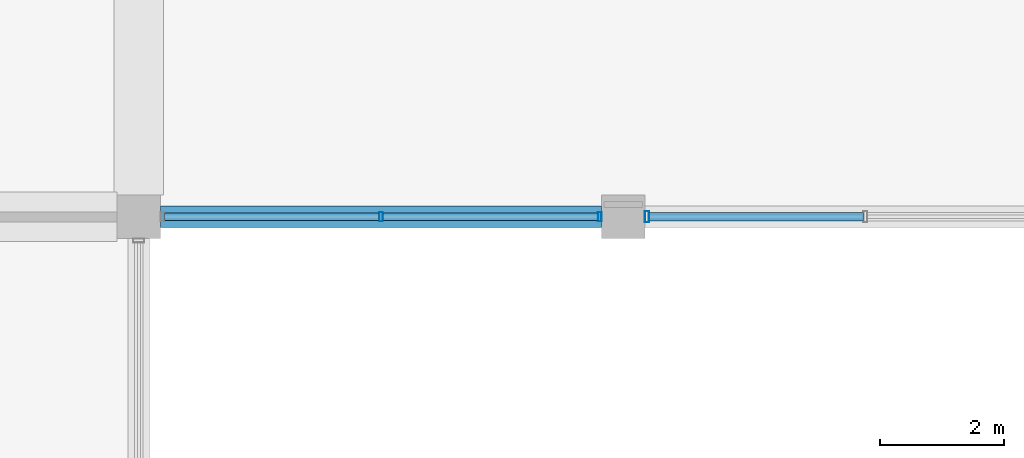
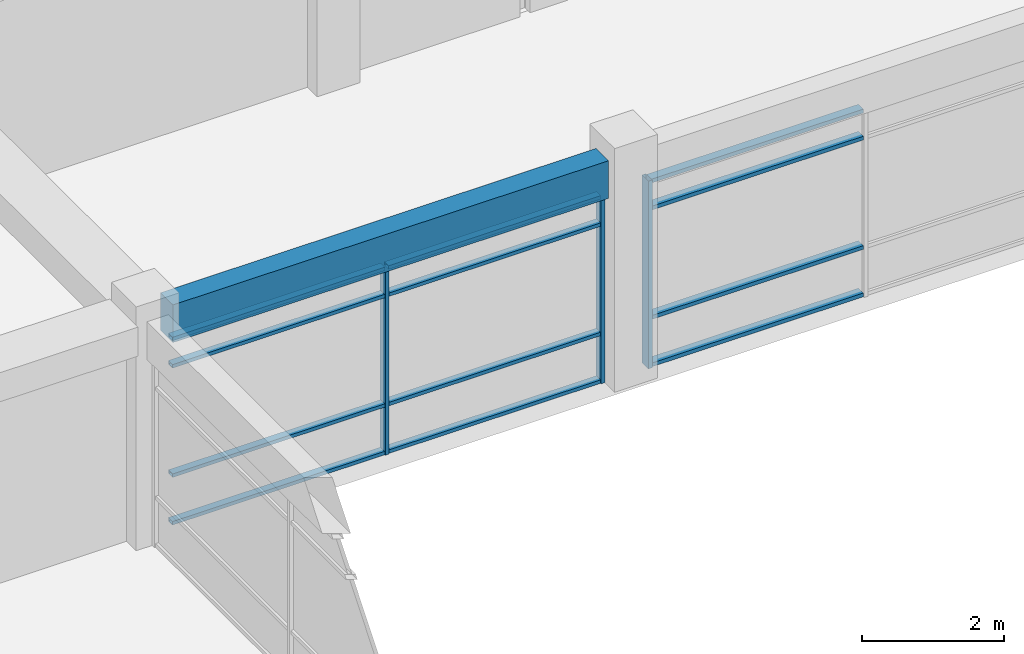
# One storey, part 17 of 53: 15 members, 1 beam, 2 elements without a shape of their own.
"""IFC4 building model written with IfcOpenShell, lengths in metres."""

from ifc_helpers import new_model, si_unit, direction, frame, origin, origin_2d, place, context, subcontext, project, spatial, rectangle, hollow_rectangle, extrude, material, material_profile, profile_set, type_object, element, aggregate, save


model = new_model("IFC4")

# Units and contexts
model_context = context("Model", 3, precision=1e-05, world=origin(), true_north=direction((0.0, 1.0)))
body_context = subcontext(model_context, "Body", "Model", "MODEL_VIEW")
ifc_project = project(units=[si_unit("LENGTHUNIT", "METRE"), si_unit("AREAUNIT", "SQUARE_METRE"), si_unit("VOLUMEUNIT", "CUBIC_METRE"), si_unit("PLANEANGLEUNIT", "RADIAN"), si_unit("MASSUNIT", "GRAM", prefix="KILO"), si_unit("THERMODYNAMICTEMPERATUREUNIT", "KELVIN"), si_unit("POWERUNIT", "WATT")], contexts=[model_context])

# Site, building, storey
site_placement = place(None, origin())
site = spatial("IfcSite", under=ifc_project, at=site_placement, CompositionType="ELEMENT")
building_placement = place(site_placement, origin())
building = spatial("IfcBuilding", under=site, at=building_placement, Name="Srebrne Nadtorze General Hospital", CompositionType="ELEMENT")
storey_placement = place(building_placement, frame((0.0, 0.0, 18.0)))
storey = spatial("IfcBuildingStorey", under=building, at=storey_placement, Name="L04", CompositionType="ELEMENT", Elevation=18.0)

# Curtain wall, members
ifc_material_1 = material(Name="Anodised Aluminium", Category="aluminium")
curtain_wall_type = type_object("IfcCurtainWallType", Name="Unitised curtain wall 7100x3235", PredefinedType="NOTDEFINED", material=ifc_material_1)
curtain_wall_1_placement = place(storey_placement, origin())
curtain_wall_1 = element("IfcCurtainWall", 1, at=curtain_wall_1_placement, inside=storey, type_object=curtain_wall_type, Name="Curtain wall CW-104", PredefinedType="NOTDEFINED")
ifc_material_2 = material(Name="Anodised Aluminium", Category="aluminium")
ifc_material_profile_1 = material_profile(ifc_material_2, hollow_rectangle(XDim=0.06005859375, YDim=0.14990234375, WallThickness=0.00390625, at=origin_2d()), Name="AL-MUL-60x150")
ifc_profile_set_1 = profile_set([ifc_material_profile_1], Name="Anodised Aluminium")
member_type_1 = type_object("IfcMemberType", Name="Curtain mullion 60x150", PredefinedType="MULLION", material=ifc_profile_set_1)
member_1_placement = place(storey_placement, frame((120.89990234375, 25.199951171875, 0.0), z_axis=(0.0, 0.0, 1.0), x_axis=(1.0, 0.0, 0.0)))
member_1 = element("IfcMember", 2, at=member_1_placement, type_object=member_type_1, Name="CW-104 mullion 2", PredefinedType="MULLION", context=body_context, shape_type="SweptSolid", body=[
    extrude(hollow_rectangle(XDim=0.06005859375, YDim=0.14990234375, WallThickness=0.00390625, at=origin_2d()), origin(), (0.0, 0.0, 1.0), 3.235107421875),
])
member_2_placement = place(storey_placement, frame((124.419921875, 25.199951171875, 0.0), z_axis=(0.0, 0.0, 1.0), x_axis=(1.0, 0.0, 0.0)))
member_2 = element("IfcMember", 3, at=member_2_placement, type_object=member_type_1, Name="CW-104 mullion 3", PredefinedType="MULLION", context=body_context, shape_type="SweptSolid", body=[
    extrude(hollow_rectangle(XDim=0.06005859375, YDim=0.14990234375, WallThickness=0.00390625, at=origin_2d()), origin(), (0.0, 0.0, 1.0), 3.235107421875),
])

# Curtain wall, member
curtain_wall_2_placement = place(storey_placement, origin())
curtain_wall_2 = element("IfcCurtainWall", 4, at=curtain_wall_2_placement, inside=storey, type_object=curtain_wall_type, Name="Curtain wall CW-105", PredefinedType="NOTDEFINED")
ifc_material_3 = material(Name="Anodised Aluminium", Category="aluminium")
ifc_material_profile_2 = material_profile(ifc_material_3, hollow_rectangle(XDim=0.06494140625, YDim=0.179931640625, WallThickness=0.00390625, at=origin_2d()), Name="AL-MUL-65x180")
ifc_profile_set_2 = profile_set([ifc_material_profile_2], Name="Anodised Aluminium")
member_type_2 = type_object("IfcMemberType", Name="Curtain mullion 65x180", PredefinedType="MULLION", material=ifc_profile_set_2)
member_3_placement = place(storey_placement, frame((125.1826171875, 25.199951171875, 0.0), z_axis=(0.0, 0.0, 1.0), x_axis=(1.0, 0.0, 0.0)))
member_3 = element("IfcMember", 5, at=member_3_placement, type_object=member_type_2, Name="CW-105 mullion 1", PredefinedType="MULLION", context=body_context, shape_type="SweptSolid", body=[
    extrude(hollow_rectangle(XDim=0.06494140625, YDim=0.179931640625, WallThickness=0.00390625, at=origin_2d()), origin(), (0.0, 0.0, 1.0), 3.235107421875),
])

# Member
ifc_material_4 = material(Name="Anodised Aluminium", Category="aluminium")
ifc_material_profile_3 = material_profile(ifc_material_4, hollow_rectangle(XDim=0.06005859375, YDim=0.1201171875, WallThickness=0.00390625, at=origin_2d()), Name="AL-TRN-60x120")
ifc_profile_set_3 = profile_set([ifc_material_profile_3], Name="Anodised Aluminium")
member_type_3 = type_object("IfcMemberType", Name="Curtain transom 60x120", PredefinedType="USERDEFINED", material=ifc_profile_set_3)
member_4_placement = place(storey_placement, frame((117.409912109375, 25.199951171875, 0.030029296875), z_axis=(1.0, 0.0, 0.0), x_axis=(0.0, 0.0, 1.0)))
member_4 = element("IfcMember", 6, at=member_4_placement, type_object=member_type_3, Name="CW-104 transom 1.1", ObjectType="TRANSOM", PredefinedType="USERDEFINED", context=body_context, shape_type="SweptSolid", body=[
    extrude(hollow_rectangle(XDim=0.06005859375, YDim=0.1201171875, WallThickness=0.00390625, at=origin_2d()), origin(), (0.0, 0.0, 1.0), 3.460205078125),
])

member_5_placement = place(storey_placement, frame((117.409912109375, 25.199951171875, 0.85009765625), z_axis=(1.0, 0.0, 0.0), x_axis=(0.0, 0.0, 1.0)))
member_5 = element("IfcMember", 7, at=member_5_placement, type_object=member_type_3, Name="CW-104 transom 1.2", ObjectType="TRANSOM", PredefinedType="USERDEFINED", context=body_context, shape_type="SweptSolid", body=[
    extrude(hollow_rectangle(XDim=0.06005859375, YDim=0.1201171875, WallThickness=0.00390625, at=origin_2d()), origin(), (0.0, 0.0, 1.0), 3.460205078125),
])

member_6_placement = place(storey_placement, frame((117.409912109375, 25.199951171875, 2.735107421875), z_axis=(1.0, 0.0, 0.0), x_axis=(0.0, 0.0, 1.0)))
member_6 = element("IfcMember", 8, at=member_6_placement, type_object=member_type_3, Name="CW-104 transom 1.3", ObjectType="TRANSOM", PredefinedType="USERDEFINED", context=body_context, shape_type="SweptSolid", body=[
    extrude(hollow_rectangle(XDim=0.06005859375, YDim=0.1201171875, WallThickness=0.00390625, at=origin_2d()), origin(), (0.0, 0.0, 1.0), 3.460205078125),
])

member_7_placement = place(storey_placement, frame((117.409912109375, 25.199951171875, 3.205078125), z_axis=(1.0, 0.0, 0.0), x_axis=(0.0, 0.0, 1.0)))
member_7 = element("IfcMember", 9, at=member_7_placement, type_object=member_type_3, Name="CW-104 transom 1.4", ObjectType="TRANSOM", PredefinedType="USERDEFINED", context=body_context, shape_type="SweptSolid", body=[
    extrude(hollow_rectangle(XDim=0.06005859375, YDim=0.1201171875, WallThickness=0.00390625, at=origin_2d()), origin(), (0.0, 0.0, 1.0), 3.460205078125),
])

member_8_placement = place(storey_placement, frame((120.929931640625, 25.199951171875, 0.030029296875), z_axis=(1.0, 0.0, 0.0), x_axis=(0.0, 0.0, 1.0)))
member_8 = element("IfcMember", 10, at=member_8_placement, type_object=member_type_3, Name="CW-104 transom 2.1", ObjectType="TRANSOM", PredefinedType="USERDEFINED", context=body_context, shape_type="SweptSolid", body=[
    extrude(hollow_rectangle(XDim=0.06005859375, YDim=0.1201171875, WallThickness=0.00390625, at=origin_2d()), origin(), (0.0, 0.0, 1.0), 3.4599609375),
])

member_9_placement = place(storey_placement, frame((120.929931640625, 25.199951171875, 0.85009765625), z_axis=(1.0, 0.0, 0.0), x_axis=(0.0, 0.0, 1.0)))
member_9 = element("IfcMember", 11, at=member_9_placement, type_object=member_type_3, Name="CW-104 transom 2.2", ObjectType="TRANSOM", PredefinedType="USERDEFINED", context=body_context, shape_type="SweptSolid", body=[
    extrude(hollow_rectangle(XDim=0.06005859375, YDim=0.1201171875, WallThickness=0.00390625, at=origin_2d()), origin(), (0.0, 0.0, 1.0), 3.4599609375),
])

member_10_placement = place(storey_placement, frame((120.929931640625, 25.199951171875, 2.735107421875), z_axis=(1.0, 0.0, 0.0), x_axis=(0.0, 0.0, 1.0)))
member_10 = element("IfcMember", 12, at=member_10_placement, type_object=member_type_3, Name="CW-104 transom 2.3", ObjectType="TRANSOM", PredefinedType="USERDEFINED", context=body_context, shape_type="SweptSolid", body=[
    extrude(hollow_rectangle(XDim=0.06005859375, YDim=0.1201171875, WallThickness=0.00390625, at=origin_2d()), origin(), (0.0, 0.0, 1.0), 3.4599609375),
])

member_11_placement = place(storey_placement, frame((120.929931640625, 25.199951171875, 3.205078125), z_axis=(1.0, 0.0, 0.0), x_axis=(0.0, 0.0, 1.0)))
member_11 = element("IfcMember", 13, at=member_11_placement, type_object=member_type_3, Name="CW-104 transom 2.4", ObjectType="TRANSOM", PredefinedType="USERDEFINED", context=body_context, shape_type="SweptSolid", body=[
    extrude(hollow_rectangle(XDim=0.06005859375, YDim=0.1201171875, WallThickness=0.00390625, at=origin_2d()), origin(), (0.0, 0.0, 1.0), 3.4599609375),
])

aggregate(curtain_wall_1, [member_1, member_2, member_4, member_5, member_6, member_7, member_8, member_9, member_10, member_11])

ifc_material_5 = material(Name="Anodised Aluminium", Category="aluminium")
ifc_material_profile_4 = material_profile(ifc_material_5, hollow_rectangle(XDim=0.06494140625, YDim=0.139892578125, WallThickness=0.00390625, at=origin_2d()), Name="AL-TRN-65x140")
ifc_profile_set_4 = profile_set([ifc_material_profile_4], Name="Anodised Aluminium")
member_type_4 = type_object("IfcMemberType", Name="Curtain transom 65x140", PredefinedType="USERDEFINED", material=ifc_profile_set_4)
member_12_placement = place(storey_placement, frame((125.215087890625, 25.199951171875, 0.032470703125), z_axis=(1.0, 0.0, 0.0), x_axis=(0.0, 0.0, 1.0)))
member_12 = element("IfcMember", 14, at=member_12_placement, type_object=member_type_4, Name="CW-105 transom 1.1", ObjectType="TRANSOM", PredefinedType="USERDEFINED", context=body_context, shape_type="SweptSolid", body=[
    extrude(hollow_rectangle(XDim=0.06494140625, YDim=0.139892578125, WallThickness=0.00390625, at=origin_2d()), origin(), (0.0, 0.0, 1.0), 3.452392578125),
])

member_13_placement = place(storey_placement, frame((125.215087890625, 25.199951171875, 0.85009765625), z_axis=(1.0, 0.0, 0.0), x_axis=(0.0, 0.0, 1.0)))
member_13 = element("IfcMember", 15, at=member_13_placement, type_object=member_type_4, Name="CW-105 transom 1.2", ObjectType="TRANSOM", PredefinedType="USERDEFINED", context=body_context, shape_type="SweptSolid", body=[
    extrude(hollow_rectangle(XDim=0.06494140625, YDim=0.139892578125, WallThickness=0.00390625, at=origin_2d()), origin(), (0.0, 0.0, 1.0), 3.452392578125),
])

member_14_placement = place(storey_placement, frame((125.215087890625, 25.199951171875, 2.735107421875), z_axis=(1.0, 0.0, 0.0), x_axis=(0.0, 0.0, 1.0)))
member_14 = element("IfcMember", 16, at=member_14_placement, type_object=member_type_4, Name="CW-105 transom 1.3", ObjectType="TRANSOM", PredefinedType="USERDEFINED", context=body_context, shape_type="SweptSolid", body=[
    extrude(hollow_rectangle(XDim=0.06494140625, YDim=0.139892578125, WallThickness=0.00390625, at=origin_2d()), origin(), (0.0, 0.0, 1.0), 3.452392578125),
])

member_15_placement = place(storey_placement, frame((125.215087890625, 25.199951171875, 3.202392578125), z_axis=(1.0, 0.0, 0.0), x_axis=(0.0, 0.0, 1.0)))
member_15 = element("IfcMember", 17, at=member_15_placement, type_object=member_type_4, Name="CW-105 transom 1.4", ObjectType="TRANSOM", PredefinedType="USERDEFINED", context=body_context, shape_type="SweptSolid", body=[
    extrude(hollow_rectangle(XDim=0.06494140625, YDim=0.139892578125, WallThickness=0.00390625, at=origin_2d()), origin(), (0.0, 0.0, 1.0), 3.452392578125),
])

aggregate(curtain_wall_2, [member_3, member_12, member_13, member_14, member_15])

# Beam
ifc_material_6 = material(Name="Concrete C35/45", Category="concrete")
ifc_material_profile_5 = material_profile(ifc_material_6, rectangle(XDim=0.35009765625, YDim=0.64990234375, at=origin_2d()), Name="RC-BM-350x650")
ifc_profile_set_5 = profile_set([ifc_material_profile_5], Name="Concrete C35/45")
beam_type = type_object("IfcBeamType", Name="Edge beam RC 350x650", PredefinedType="BEAM", material=ifc_profile_set_5)
beam_placement = place(storey_placement, frame((117.35009765625, 25.199951171875, 3.56005859375), z_axis=(1.0, 0.0, 0.0), x_axis=(0.0, 1.0, 0.0)))
element("IfcBeam", 18, at=beam_placement, inside=storey, type_object=beam_type, Name="Beam BM-L04-X-0877", PredefinedType="BEAM", context=body_context, shape_type="SweptSolid", body=[
    extrude(rectangle(XDim=0.35009765625, YDim=0.64990234375, at=origin_2d()), origin(), (0.0, 0.0, 1.0), 7.099853515625),
])

save(model, "model.ifc")
